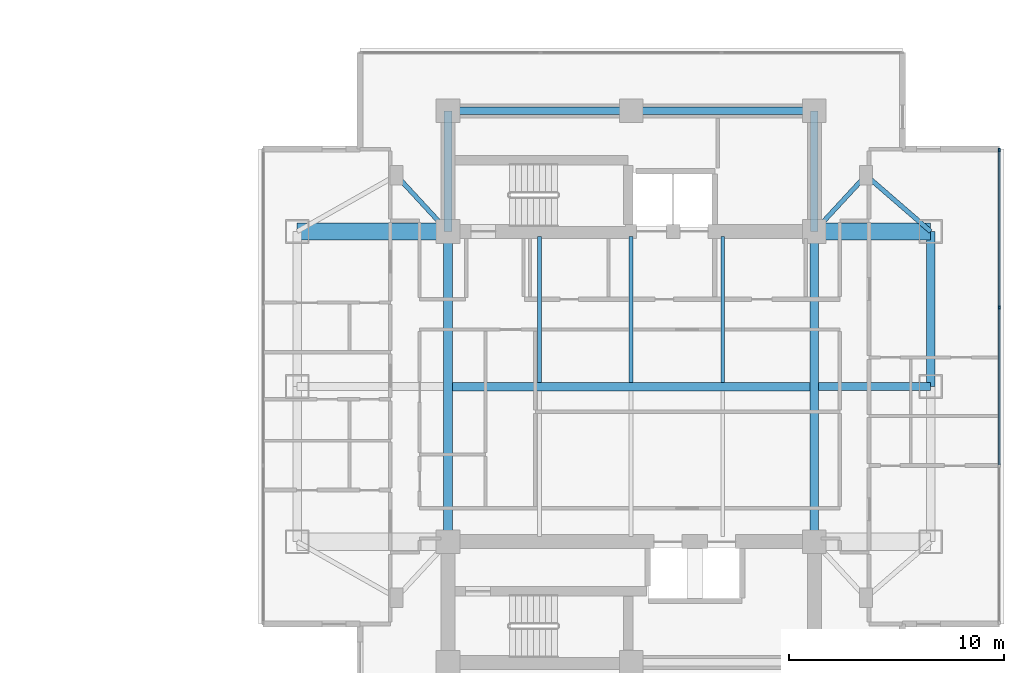
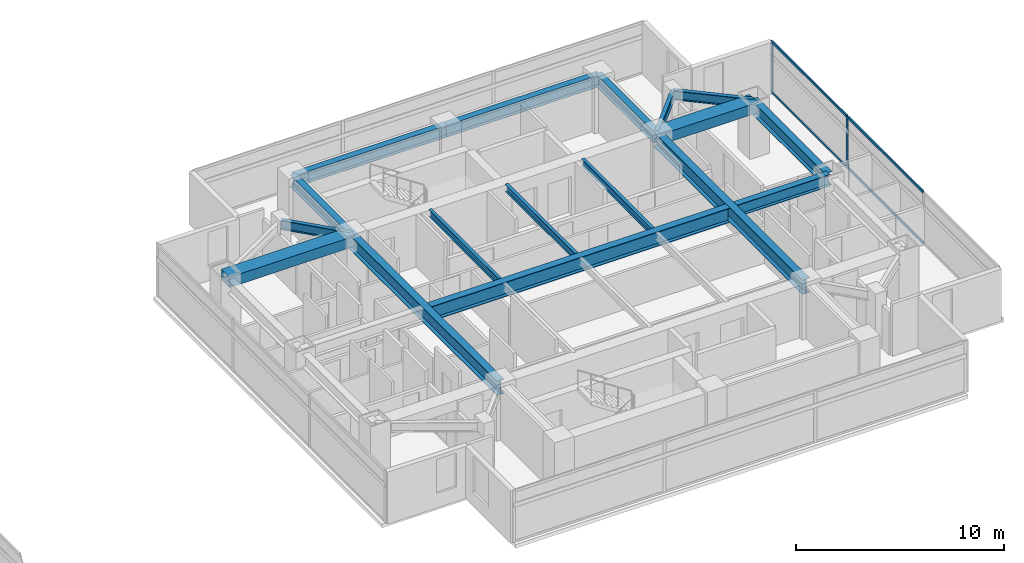
# One storey, part 11 of 26: 17 beams, 6 members, 1 element without a shape of its own.
"""IFC4 building model written with IfcOpenShell, lengths in metres."""

from ifc_helpers import new_model, si_unit, direction, frame, origin, origin_2d, place, context, subcontext, project, spatial, rectangle, i_section, extrude, material, material_profile, profile_set, type_object, element, aggregate, save


model = new_model("IFC4")

# Units and contexts
model_context = context("Model", 3, precision=1e-05, world=origin(), true_north=direction((0.0, 1.0)))
body_context = subcontext(model_context, "Body", "Model", "MODEL_VIEW")
ifc_project = project(units=[si_unit("LENGTHUNIT", "METRE"), si_unit("AREAUNIT", "SQUARE_METRE"), si_unit("VOLUMEUNIT", "CUBIC_METRE"), si_unit("PLANEANGLEUNIT", "RADIAN"), si_unit("MASSUNIT", "GRAM", prefix="KILO")], contexts=[model_context])

# Site, building, storey
site_placement = place(None, origin())
site = spatial("IfcSite", under=ifc_project, at=site_placement, CompositionType="ELEMENT")
building_placement = place(site_placement, origin())
building = spatial("IfcBuilding", under=site, at=building_placement, Name="Mirazonda Arch Towers", CompositionType="ELEMENT")
storey_placement = place(building_placement, frame((0.0, 0.0, 121.39990234375)))
storey = spatial("IfcBuildingStorey", under=building, at=storey_placement, Name="L34", CompositionType="ELEMENT", Elevation=121.39990234375)

# Beams
ifc_material_1 = material(Name="Steel ASTM A992 Grade 50", Category="steel")
ifc_material_profile_1 = material_profile(ifc_material_1, i_section(OverallWidth=0.381103515625, OverallDepth=0.77294921875, WebThickness=0.0166015625, FlangeThickness=0.027099609375, at=origin_2d()), Name="W30X173")
ifc_profile_set_1 = profile_set([ifc_material_profile_1], Name="Steel ASTM A992 Grade 50")
beam_type_1 = type_object("IfcBeamType", Name="BM-EXT-W30X173", PredefinedType="USERDEFINED", material=ifc_profile_set_1)
beam_1_placement = place(storey_placement, frame((90.39990234375, 28.0, 2.693603515625), z_axis=(0.0, 1.0, 0.0), x_axis=(-1.0, 0.0, 0.0)))
element("IfcBeam", 1, at=beam_1_placement, inside=storey, type_object=beam_type_1, Name="L34 Floor Beam BM-T2-L34-NS-E-28", ObjectType="GIRDER", PredefinedType="USERDEFINED", context=body_context, shape_type="SweptSolid", body=[
    extrude(i_section(OverallWidth=0.381103515625, OverallDepth=0.77294921875, WebThickness=0.0166015625, FlangeThickness=0.027099609375, at=origin_2d()), origin(), (0.0, 0.0, 1.0), 7.199951171875),
])
ifc_material_profile_2 = material_profile(ifc_material_1, i_section(OverallWidth=0.180908203125, OverallDepth=0.4169921875, WebThickness=0.010986328125, FlangeThickness=0.018310546875, at=origin_2d()), Name="W16X57")
ifc_profile_set_2 = profile_set([ifc_material_profile_2], Name="Steel ASTM A992 Grade 50")
beam_type_2 = type_object("IfcBeamType", Name="BM-INT-W16X57", PredefinedType="JOIST", material=ifc_profile_set_2)
for number, where, z_axis, x_axis, name in (
    (2, (72.25, 28.196044921875, 2.87158203125), (0.0, 1.0, 0.0), (-1.0, 0.0, 0.0), "L34 Floor Beam BM-T2-L34-J-722-28"),
    (3, (76.5, 28.196044921875, 2.87158203125), (0.0, 1.0, 0.0), (-1.0, 0.0, 0.0), "L34 Floor Beam BM-T2-L34-J-765-28"),
    (4, (80.75, 28.196044921875, 2.87158203125), (0.0, 1.0, 0.0), (-1.0, 0.0, 0.0), "L34 Floor Beam BM-T2-L34-J-807-28"),
):
    element("IfcBeam", number, at=place(storey_placement, frame(where, z_axis=z_axis, x_axis=x_axis)), inside=storey, type_object=beam_type_2, Name=name, PredefinedType="JOIST", context=body_context, shape_type="SweptSolid", body=[
        extrude(i_section(OverallWidth=0.180908203125, OverallDepth=0.4169921875, WebThickness=0.010986328125, FlangeThickness=0.018310546875, at=origin_2d()), origin(), (0.0, 0.0, 1.0), 6.763916015625),
    ])
ifc_material_profile_3 = material_profile(ifc_material_1, i_section(OverallWidth=0.214111328125, OverallDepth=0.549072265625, WebThickness=0.0146484375, FlangeThickness=0.023681640625, at=origin_2d()), Name="W21X93")
ifc_profile_set_3 = profile_set([ifc_material_profile_3], Name="Steel ASTM A992 Grade 50")
beam_type_3 = type_object("IfcBeamType", Name="BM-INT-W21X93", PredefinedType="BEAM", material=ifc_profile_set_3)
for number, where, z_axis, x_axis, name in (
    (5, (65.60009765625, 37.800048828125, 2.8056640625), (0.678251444854, -0.734829897019, 0.0), (0.734829897019, 0.678251444854, 0.0), "L34 Floor Beam BM-T2-L34-PL-NW1"),
    (6, (87.39990234375, 37.800048828125, 2.8056640625), (-0.678251444854, -0.734829897019, 0.0), (0.734829897019, -0.678251444854, 0.0), "L34 Floor Beam BM-T2-L34-PL-NE1"),
):
    element("IfcBeam", number, at=place(storey_placement, frame(where, z_axis=z_axis, x_axis=x_axis)), inside=storey, type_object=beam_type_3, Name=name, PredefinedType="BEAM", context=body_context, shape_type="SweptSolid", body=[
        extrude(i_section(OverallWidth=0.214111328125, OverallDepth=0.549072265625, WebThickness=0.0146484375, FlangeThickness=0.023681640625, at=origin_2d()), origin(), (0.0, 0.0, 1.0), 3.538330078125),
    ])
beam_2_placement = place(storey_placement, frame((87.39990234375, 37.800048828125, 2.8056640625), z_axis=(0.755676908098, -0.654944585876, 0.0), x_axis=(0.654944585876, 0.755676908098, 0.0)))
element("IfcBeam", 7, at=beam_2_placement, inside=storey, type_object=beam_type_3, Name="L34 Floor Beam BM-T2-L34-PL-NE2", PredefinedType="BEAM", context=body_context, shape_type="SweptSolid", body=[
    extrude(i_section(OverallWidth=0.214111328125, OverallDepth=0.549072265625, WebThickness=0.0146484375, FlangeThickness=0.023681640625, at=origin_2d()), origin(), (0.0, 0.0, 1.0), 3.969970703125),
])
ifc_material_profile_4 = material_profile(ifc_material_1, i_section(OverallWidth=0.35498046875, OverallDepth=0.696044921875, WebThickness=0.015380859375, FlangeThickness=0.02490234375, at=origin_2d()), Name="W27X146")
ifc_profile_set_4 = profile_set([ifc_material_profile_4], Name="Steel ASTM A992 Grade 50")
beam_type_4 = type_object("IfcBeamType", Name="BM-INT-W27X146", PredefinedType="BEAM", material=ifc_profile_set_4)
for number, where, z_axis, x_axis, name in (
    (8, (68.0, 40.800048828125, 2.732177734375), (1.0, 0.0, 0.0), (0.0, 1.0, 0.0), "L34 Floor Beam BM-T2-L34-CN1"),
    (9, (76.5, 40.800048828125, 2.732177734375), (1.0, 0.0, 0.0), (0.0, 1.0, 0.0), "L34 Floor Beam BM-T2-L34-CN2"),
):
    element("IfcBeam", number, at=place(storey_placement, frame(where, z_axis=z_axis, x_axis=x_axis)), inside=storey, type_object=beam_type_4, Name=name, PredefinedType="BEAM", context=body_context, shape_type="SweptSolid", body=[
        extrude(i_section(OverallWidth=0.35498046875, OverallDepth=0.696044921875, WebThickness=0.015380859375, FlangeThickness=0.02490234375, at=origin_2d()), origin(), (0.0, 0.0, 1.0), 8.5),
    ])
for number, where, z_axis, x_axis, name in (
    (10, (68.0, 35.199951171875, 2.732177734375), (0.0, 1.0, 0.0), (-1.0, 0.0, 0.0), "L34 Floor Beam BM-T2-L34-CNW"),
    (11, (85.0, 35.199951171875, 2.732177734375), (0.0, 1.0, 0.0), (-1.0, 0.0, 0.0), "L34 Floor Beam BM-T2-L34-CNE"),
):
    element("IfcBeam", number, at=place(storey_placement, frame(where, z_axis=z_axis, x_axis=x_axis)), inside=storey, type_object=beam_type_4, Name=name, PredefinedType="BEAM", context=body_context, shape_type="SweptSolid", body=[
        extrude(i_section(OverallWidth=0.35498046875, OverallDepth=0.696044921875, WebThickness=0.015380859375, FlangeThickness=0.02490234375, at=origin_2d()), origin(), (0.0, 0.0, 1.0), 5.60009765625),
    ])
beam_3_placement = place(storey_placement, frame((85.199951171875, 28.0, 2.732177734375), z_axis=(1.0, 0.0, 0.0), x_axis=(0.0, 1.0, 0.0)))
element("IfcBeam", 12, at=beam_3_placement, inside=storey, type_object=beam_type_4, Name="L34 Floor Beam BM-T2-L34-GE2", PredefinedType="BEAM", context=body_context, shape_type="SweptSolid", body=[
    extrude(i_section(OverallWidth=0.35498046875, OverallDepth=0.696044921875, WebThickness=0.015380859375, FlangeThickness=0.02490234375, at=origin_2d()), origin(), (0.0, 0.0, 1.0), 5.199951171875),
])
ifc_material_profile_5 = material_profile(ifc_material_1, i_section(OverallWidth=0.39990234375, OverallDepth=0.85595703125, WebThickness=0.018310546875, FlangeThickness=0.029296875, at=origin_2d()), Name="W33X201")
ifc_profile_set_5 = profile_set([ifc_material_profile_5], Name="Steel ASTM A992 Grade 50")
beam_type_5 = type_object("IfcBeamType", Name="BM-INT-W33X201", PredefinedType="USERDEFINED", material=ifc_profile_set_5)
beam_4_placement = place(storey_placement, frame((68.199951171875, 28.0, 2.652099609375), z_axis=(1.0, 0.0, 0.0), x_axis=(0.0, 1.0, 0.0)))
element("IfcBeam", 13, at=beam_4_placement, inside=storey, type_object=beam_type_5, Name="L34 Floor Beam BM-T2-L34-GC2", ObjectType="GIRDER", PredefinedType="USERDEFINED", context=body_context, shape_type="SweptSolid", body=[
    extrude(i_section(OverallWidth=0.39990234375, OverallDepth=0.85595703125, WebThickness=0.018310546875, FlangeThickness=0.029296875, at=origin_2d()), origin(), (0.0, 0.0, 1.0), 16.60009765625),
])
for number, where, z_axis, x_axis, name in (
    (14, (68.0, 20.800048828125, 2.652099609375), (0.0, 1.0, 0.0), (-1.0, 0.0, 0.0), "L34 Floor Beam BM-T2-L34-NS-CW-FULL"),
    (15, (85.0, 20.800048828125, 2.652099609375), (0.0, 1.0, 0.0), (-1.0, 0.0, 0.0), "L34 Floor Beam BM-T2-L34-NS-CE-FULL"),
):
    element("IfcBeam", number, at=place(storey_placement, frame(where, z_axis=z_axis, x_axis=x_axis)), inside=storey, type_object=beam_type_5, Name=name, ObjectType="GIRDER", PredefinedType="USERDEFINED", context=body_context, shape_type="SweptSolid", body=[
        extrude(i_section(OverallWidth=0.39990234375, OverallDepth=0.85595703125, WebThickness=0.018310546875, FlangeThickness=0.029296875, at=origin_2d()), origin(), (0.0, 0.0, 1.0), 14.39990234375),
    ])
ifc_material_2 = material(Name="Concrete C60/75", Category="concrete")
ifc_material_profile_6 = material_profile(ifc_material_2, rectangle(XDim=0.800048828125, YDim=0.60009765625, at=origin_2d()), Name="RCCB800x600")
ifc_profile_set_6 = profile_set([ifc_material_profile_6], Name="Concrete C60/75")
beam_type_6 = type_object("IfcBeamType", Name="CB-INT-RCCB800x600", PredefinedType="SPANDREL", material=ifc_profile_set_6)
beam_5_placement = place(storey_placement, frame((61.0, 35.199951171875, 2.780029296875), z_axis=(1.0, 0.0, 0.0), x_axis=(0.0, 1.0, 0.0)))
element("IfcBeam", 16, at=beam_5_placement, inside=storey, type_object=beam_type_6, Name="L34 Floor Beam CBC-T2-L34-NW", PredefinedType="SPANDREL", context=body_context, shape_type="SweptSolid", body=[
    extrude(rectangle(XDim=0.800048828125, YDim=0.60009765625, at=origin_2d()), origin(), (0.0, 0.0, 1.0), 7.0),
])
beam_6_placement = place(storey_placement, frame((85.0, 35.199951171875, 2.780029296875), z_axis=(1.0, 0.0, 0.0), x_axis=(0.0, 1.0, 0.0)))
element("IfcBeam", 17, at=beam_6_placement, inside=storey, type_object=beam_type_6, Name="L34 Floor Beam CBC-T2-L34-NE", PredefinedType="SPANDREL", context=body_context, shape_type="SweptSolid", body=[
    extrude(rectangle(XDim=0.800048828125, YDim=0.60009765625, at=origin_2d()), origin(), (0.0, 0.0, 1.0), 5.39990234375),
])

# Curtain wall, members
ifc_material_3 = material(Name="Anodised Aluminium and Low-E Glass", Category="aluminium")
curtain_wall_type = type_object("IfcCurtainWallType", Name="CW-HTL-UNIT", PredefinedType="NOTDEFINED", material=ifc_material_3)
curtain_wall_placement = place(storey_placement, origin())
curtain_wall = element("IfcCurtainWall", 18, at=curtain_wall_placement, inside=storey, type_object=curtain_wall_type, Name="L34 T2 E Facade CW-L34-T2-E", PredefinedType="NOTDEFINED")
ifc_material_4 = material(Name="Anodised Aluminium Alloy", Category="aluminium")
ifc_material_profile_7 = material_profile(ifc_material_4, rectangle(XDim=0.074951171875, YDim=0.1650390625, at=origin_2d()), Name="ALU-MULL-75x165")
ifc_profile_set_7 = profile_set([ifc_material_profile_7], Name="Anodised Aluminium Alloy")
member_type_1 = type_object("IfcMemberType", Name="MULL-CW-HTL-UNIT", PredefinedType="MULLION", material=ifc_profile_set_7)
member_1_placement = place(storey_placement, frame((93.5830078125, 31.671875, 0.0), z_axis=(0.0, 0.0, 1.0), x_axis=(-1.0, 0.0, 0.0)))
member_1 = element("IfcMember", 19, at=member_1_placement, type_object=member_type_1, Name="CW-112 mullion 3", PredefinedType="MULLION", context=body_context, shape_type="SweptSolid", body=[
    extrude(rectangle(XDim=0.074951171875, YDim=0.1650390625, at=origin_2d()), origin(), (0.0, 0.0, 1.0), 3.06005859375),
])
member_2_placement = place(storey_placement, frame((93.5830078125, 38.978271484375, 0.0), z_axis=(0.0, 0.0, 1.0), x_axis=(-1.0, 0.0, 0.0)))
member_2 = element("IfcMember", 20, at=member_2_placement, type_object=member_type_1, Name="CW-112 mullion 4", PredefinedType="MULLION", context=body_context, shape_type="SweptSolid", body=[
    extrude(rectangle(XDim=0.074951171875, YDim=0.1650390625, at=origin_2d()), origin(), (0.0, 0.0, 1.0), 3.06005859375),
])
ifc_material_profile_8 = material_profile(ifc_material_4, rectangle(XDim=0.074951171875, YDim=0.14501953125, at=origin_2d()), Name="ALU-TRAN-75x145")
ifc_profile_set_8 = profile_set([ifc_material_profile_8], Name="Anodised Aluminium Alloy")
member_type_2 = type_object("IfcMemberType", Name="TRAN-CW-HTL-UNIT", PredefinedType="USERDEFINED", material=ifc_profile_set_8)
member_3_placement = place(storey_placement, frame((93.5830078125, 24.365478515625, 0.03759765625), z_axis=(0.0, 1.0, 0.0), x_axis=(-1.0, 0.0, 0.0)))
member_3 = element("IfcMember", 21, at=member_3_placement, type_object=member_type_2, Name="CW-112 transom 2.1", ObjectType="TRANSOM", PredefinedType="USERDEFINED", context=body_context, shape_type="SweptSolid", body=[
    extrude(rectangle(XDim=0.074951171875, YDim=0.14501953125, at=origin_2d()), origin(), (0.0, 0.0, 1.0), 7.26904296875),
])
member_4_placement = place(storey_placement, frame((93.5830078125, 24.365478515625, 3.022705078125), z_axis=(0.0, 1.0, 0.0), x_axis=(-1.0, 0.0, 0.0)))
member_4 = element("IfcMember", 22, at=member_4_placement, type_object=member_type_2, Name="CW-112 transom 2.2", ObjectType="TRANSOM", PredefinedType="USERDEFINED", context=body_context, shape_type="SweptSolid", body=[
    extrude(rectangle(XDim=0.074951171875, YDim=0.14501953125, at=origin_2d()), origin(), (0.0, 0.0, 1.0), 7.26904296875),
])
member_5_placement = place(storey_placement, frame((93.5830078125, 31.70947265625, 0.03759765625), z_axis=(0.0, 1.0, 0.0), x_axis=(-1.0, 0.0, 0.0)))
member_5 = element("IfcMember", 23, at=member_5_placement, type_object=member_type_2, Name="CW-112 transom 3.1", ObjectType="TRANSOM", PredefinedType="USERDEFINED", context=body_context, shape_type="SweptSolid", body=[
    extrude(rectangle(XDim=0.074951171875, YDim=0.14501953125, at=origin_2d()), origin(), (0.0, 0.0, 1.0), 7.2314453125),
])
member_6_placement = place(storey_placement, frame((93.5830078125, 31.70947265625, 3.022705078125), z_axis=(0.0, 1.0, 0.0), x_axis=(-1.0, 0.0, 0.0)))
member_6 = element("IfcMember", 24, at=member_6_placement, type_object=member_type_2, Name="CW-112 transom 3.2", ObjectType="TRANSOM", PredefinedType="USERDEFINED", context=body_context, shape_type="SweptSolid", body=[
    extrude(rectangle(XDim=0.074951171875, YDim=0.14501953125, at=origin_2d()), origin(), (0.0, 0.0, 1.0), 7.2314453125),
])
aggregate(curtain_wall, [member_1, member_2, member_3, member_4, member_5, member_6])

save(model, "model.ifc")
